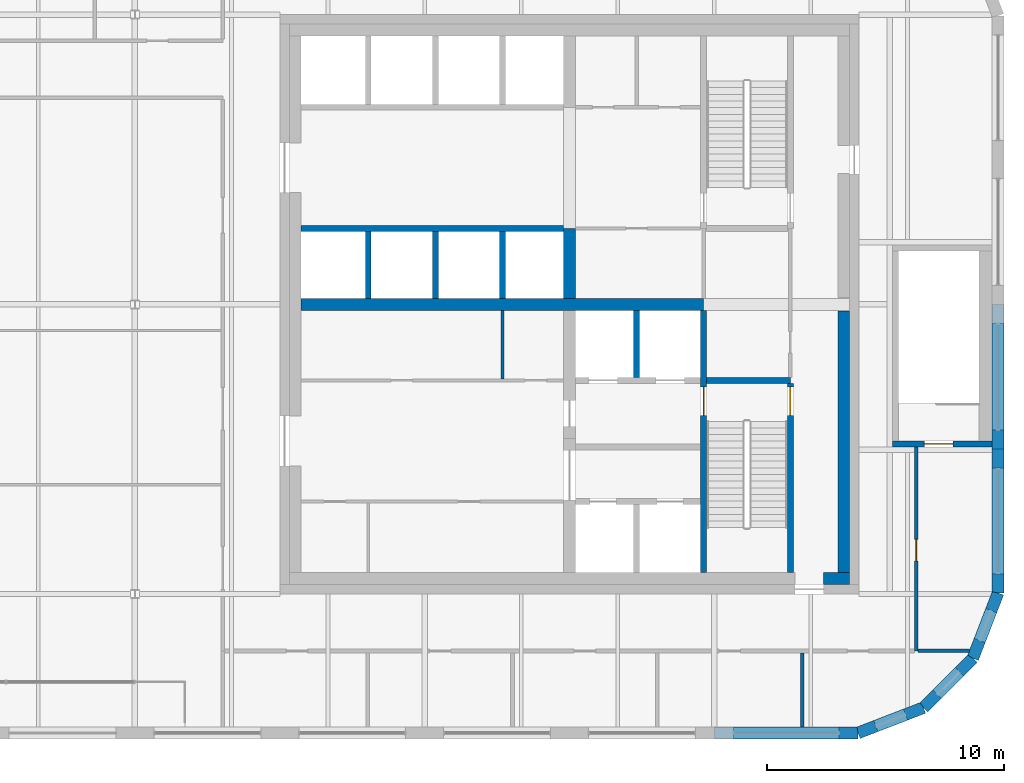
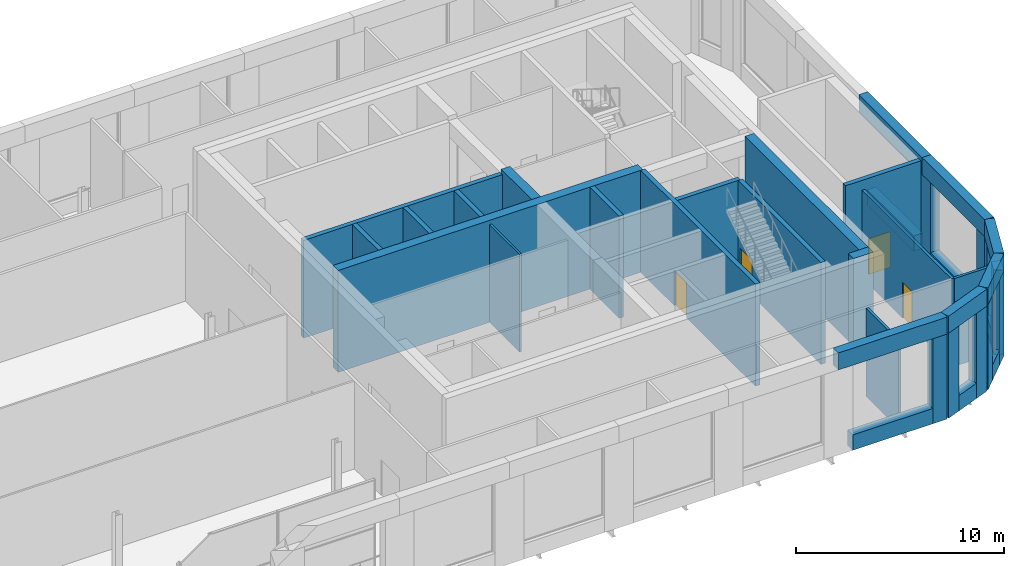
# One storey, part 14 of 19: 38 walls, 4 doors, 4 openings.
"""IFC4 building model written with IfcOpenShell, lengths in metres."""

from ifc_helpers import new_model, si_unit, direction, frame, frame_2d, origin, place, context, subcontext, project, spatial, polyline, rectangle, outline, extrude, faceted_brep, source, transform, mapped, material, layer, layer_set, type_object, element, fill, save


model = new_model("IFC4")

# Units and contexts
model_context = context("Model", 3, precision=1e-05, world=origin(), true_north=direction((0.0, 1.0)))
body_context = subcontext(model_context, "Body", "Model", "MODEL_VIEW")
ifc_project = project(units=[si_unit("LENGTHUNIT", "METRE"), si_unit("AREAUNIT", "SQUARE_METRE"), si_unit("VOLUMEUNIT", "CUBIC_METRE"), si_unit("PLANEANGLEUNIT", "RADIAN"), si_unit("MASSUNIT", "GRAM", prefix="KILO")], contexts=[model_context])

# Site, building, storey
site_placement = place(None, origin())
site = spatial("IfcSite", under=ifc_project, at=site_placement, CompositionType="ELEMENT")
building_placement = place(site_placement, origin())
building = spatial("IfcBuilding", under=site, at=building_placement, Name="Tessera Gate Towers", CompositionType="ELEMENT")
storey_placement = place(building_placement, frame((0.0, 0.0, 259.699951171875)))
storey = spatial("IfcBuildingStorey", under=building, at=storey_placement, Name="L65", CompositionType="ELEMENT", Elevation=259.699951171875)

# Wall
ifc_material_1 = material(Name="Concrete C40/50", Category="concrete")
ifc_layer_1 = layer(ifc_material_1, 0.25)
ifc_layer_set_1 = layer_set([ifc_layer_1], Name="CORE ENCLOSURE WALL 250")
wall_type_1 = type_object("IfcWallType", Name="CORE ENCLOSURE WALL 250", PredefinedType="SOLIDWALL", material=ifc_layer_set_1)
wall_1_placement = place(storey_placement, frame((31.39990234375, 39.800048828125, 0.0), z_axis=(0.0, 0.0, 1.0), x_axis=(1.0, 0.0, 0.0)))
element("IfcWall", 1, at=wall_1_placement, inside=storey, type_object=wall_type_1, Name="L65 shaft and stair enclosure wall", PredefinedType="SOLIDWALL", context=body_context, shape_type="SweptSolid", body=[
    extrude(rectangle(XDim=11.050048828125, YDim=0.25, at=frame_2d((5.52490234375, 0.0))), origin(), (0.0, 0.0, 1.0), 5.75),
])

# Wall, opening, door
wall_2_placement = place(storey_placement, frame((48.35009765625, 36.35009765625, 0.0), z_axis=(0.0, 0.0, 1.0), x_axis=(0.0, -1.0, 0.0)))
wall_2 = element("IfcWall", 2, at=wall_2_placement, inside=storey, type_object=wall_type_1, Name="L65 shaft and stair enclosure wall", PredefinedType="SOLIDWALL", context=body_context, shape_type="SweptSolid", body=[
    extrude(rectangle(XDim=11.050048828125, YDim=0.25, at=frame_2d((5.52490234375, 0.0))), origin(), (0.0, 0.0, 1.0), 6.0),
])
shared_shape_1 = source(origin(), body_context, "Body", "SweptSolid", [
    extrude(rectangle(XDim=1.199951171875, YDim=2.10009765625, at=frame_2d((0.60009765625, 1.050048828125))), frame((0.0, 0.135009765625, 0.0), z_axis=(0.0, -1.0, 0.0), x_axis=(1.0, 0.0, 0.0)), (0.0, 0.0, 1.0), 0.27001953125),
])
opening_1_placement = place(wall_2_placement, frame((3.22509765625, 0.0, 0.0)))
opening_1 = element("IfcOpeningElement", 3, at=opening_1_placement, cuts=wall_2, Name="Opening SD-ST1-1", PredefinedType="OPENING", context=body_context, shape_type="MappedRepresentation", body=[
    mapped(shared_shape_1, transform((0.0, 0.0, 0.0), scale=1.0)),
])
ifc_material_2 = material(Name="Hollow steel fire door", Category="steel")
door_type_1 = type_object("IfcDoorType", Name="CORE DOOR SD 1200x2100", OperationType="NOTDEFINED", PredefinedType="DOOR", material=ifc_material_2)
shared_shape_2 = source(origin(), body_context, "Body", "SweptSolid", [
    extrude(rectangle(XDim=1.199951171875, YDim=2.10009765625, at=frame_2d((0.60009765625, 1.050048828125))), frame((0.0, 0.02490234375, 0.0), z_axis=(0.0, -1.0, 0.0), x_axis=(1.0, 0.0, 0.0)), (0.0, 0.0, 1.0), 0.050048828125),
])
door_1_placement = place(opening_1_placement, origin())
door_1 = element("IfcDoor", 4, at=door_1_placement, inside=storey, type_object=door_type_1, Name="Stair door", OperationType="SINGLE_SWING_LEFT", OverallHeight=2.10009765625, OverallWidth=1.199951171875, PredefinedType="DOOR", context=body_context, shape_type="MappedRepresentation", body=[
    mapped(shared_shape_2, transform((0.0, 0.0, 0.0), scale=1.0)),
])
fill(opening_1, door_1)

# Wall
wall_3_placement = place(storey_placement, frame((48.47509765625, 33.39990234375, 0.0), z_axis=(0.0, 0.0, 1.0), x_axis=(1.0, 0.0, 0.0)))
element("IfcWall", 5, at=wall_3_placement, inside=storey, type_object=wall_type_1, Name="L65 shaft and stair enclosure wall", PredefinedType="SOLIDWALL", context=body_context, shape_type="SweptSolid", body=[
    extrude(rectangle(XDim=3.52490234375, YDim=0.25, at=frame_2d((1.762451171875, 0.0))), origin(), (0.0, 0.0, 1.0), 6.0),
])

# Wall, opening, door
wall_4_placement = place(storey_placement, frame((52.0, 25.300048828125, 0.0), z_axis=(0.0, 0.0, 1.0), x_axis=(0.0, 1.0, 0.0)))
wall_4 = element("IfcWall", 6, at=wall_4_placement, inside=storey, type_object=wall_type_1, Name="L65 shaft and stair enclosure wall", PredefinedType="SOLIDWALL", context=body_context, shape_type="SweptSolid", body=[
    extrude(rectangle(XDim=7.974853515625, YDim=0.25, at=frame_2d((3.9873046875, 0.0))), origin(), (0.0, 0.0, 1.0), 6.0),
])
opening_2_placement = place(wall_4_placement, frame((6.625, 0.0, 0.0)))
opening_2 = element("IfcOpeningElement", 7, at=opening_2_placement, cuts=wall_4, Name="Opening SD-ST1-2", PredefinedType="OPENING", context=body_context, shape_type="MappedRepresentation", body=[
    mapped(shared_shape_1, transform((0.0, 0.0, 0.0), scale=1.0)),
])
door_2_placement = place(opening_2_placement, origin())
door_2 = element("IfcDoor", 8, at=door_2_placement, inside=storey, type_object=door_type_1, Name="Stair door", OperationType="SINGLE_SWING_RIGHT", OverallHeight=2.10009765625, OverallWidth=1.199951171875, PredefinedType="DOOR", context=body_context, shape_type="MappedRepresentation", body=[
    mapped(shared_shape_2, transform((0.0, 0.0, 0.0), scale=1.0)),
])
fill(opening_2, door_2)

# Walls
for number, where, z_axis, x_axis, name in (
    (9, (34.22509765625, 36.85009765625, 0.0), (0.0, 0.0, 1.0), (0.0, 1.0, 0.0), "L65 shaft and stair enclosure wall"),
    (10, (37.050048828125, 36.85009765625, 0.0), (0.0, 0.0, 1.0), (0.0, 1.0, 0.0), "L65 shaft and stair enclosure wall"),
    (11, (39.875, 36.85009765625, 0.0), (0.0, 0.0, 1.0), (0.0, 1.0, 0.0), "L65 shaft and stair enclosure wall"),
):
    element("IfcWall", number, at=place(storey_placement, frame(where, z_axis=z_axis, x_axis=x_axis)), inside=storey, type_object=wall_type_1, Name=name, PredefinedType="SOLIDWALL", context=body_context, shape_type="SweptSolid", body=[
        extrude(rectangle(XDim=2.824951171875, YDim=0.25, at=frame_2d((1.41259765625, 0.0))), origin(), (0.0, 0.0, 1.0), 5.75),
    ])
wall_5_placement = place(storey_placement, frame((45.52490234375, 33.52490234375, 0.0), z_axis=(0.0, 0.0, 1.0), x_axis=(0.0, 1.0, 0.0)))
element("IfcWall", 12, at=wall_5_placement, inside=storey, type_object=wall_type_1, Name="L65 shaft and stair enclosure wall", PredefinedType="SOLIDWALL", context=body_context, shape_type="SweptSolid", body=[
    extrude(rectangle(XDim=2.8251953125, YDim=0.25, at=frame_2d((1.41259765625, 0.0))), origin(), (0.0, 0.0, 1.0), 6.0),
])

# Wall, opening, door
wall_6_placement = place(storey_placement, frame((60.5, 30.72509765625, 0.0), z_axis=(0.0, 0.0, 1.0), x_axis=(-1.0, 0.0, 0.0)))
wall_6 = element("IfcWall", 13, at=wall_6_placement, inside=storey, type_object=wall_type_1, Name="L65 ST5 enclosure wall", PredefinedType="SOLIDWALL", context=body_context, shape_type="SweptSolid", body=[
    extrude(rectangle(XDim=4.199951171875, YDim=0.25, at=frame_2d((2.10009765625, 0.0))), origin(), (0.0, 0.0, 1.0), 5.75),
])
opening_3_placement = place(wall_6_placement, frame((1.64990234375, 0.0, 0.0)))
opening_3 = element("IfcOpeningElement", 14, at=opening_3_placement, cuts=wall_6, Name="Opening SD-ST5-1", PredefinedType="OPENING", context=body_context, shape_type="MappedRepresentation", body=[
    mapped(shared_shape_1, transform((0.0, 0.0, 0.0), scale=1.0)),
])
door_3_placement = place(opening_3_placement, origin())
door_3 = element("IfcDoor", 15, at=door_3_placement, inside=storey, type_object=door_type_1, Name="Stair door", OperationType="SINGLE_SWING_RIGHT", OverallHeight=2.10009765625, OverallWidth=1.199951171875, PredefinedType="DOOR", context=body_context, shape_type="MappedRepresentation", body=[
    mapped(shared_shape_2, transform((0.0, 0.0, 0.0), scale=1.0)),
])
fill(opening_3, door_3)

# Walls
ifc_material_3 = material(Name="Gypsum board on steel studs", Category="steel")
ifc_layer_2 = layer(ifc_material_3, 0.1201171875)
ifc_layer_set_2 = layer_set([ifc_layer_2], Name="CORE PARTITION 120")
wall_type_2 = type_object("IfcWallType", Name="CORE PARTITION 120", PredefinedType="PARTITIONING", material=ifc_layer_set_2)
wall_7_placement = place(storey_placement, frame((39.875, 33.4599609375, 0.0), z_axis=(0.0, 0.0, 1.0), x_axis=(0.0, 1.0, 0.0)))
element("IfcWall", 16, at=wall_7_placement, inside=storey, type_object=wall_type_2, Name="L65 core partition", PredefinedType="PARTITIONING", context=body_context, shape_type="SweptSolid", body=[
    extrude(rectangle(XDim=2.89013671875, YDim=0.1201171875, at=frame_2d((1.445068359375, 0.0))), origin(), (0.0, 0.0, 1.0), 5.75),
])
ifc_material_4 = material(Name="Concrete C40/50", Category="concrete")
ifc_layer_3 = layer(ifc_material_4, 0.5)
ifc_layer_set_3 = layer_set([ifc_layer_3], Name="CORE SPINE WALL 500 C40/50")
wall_type_3 = type_object("IfcWallType", Name="CORE SPINE WALL 500 C40/50", PredefinedType="SHEAR", material=ifc_layer_set_3)
wall_8_placement = place(storey_placement, frame((31.39990234375, 36.60009765625, 0.0), z_axis=(0.0, 0.0, 1.0), x_axis=(1.0, 0.0, 0.0)))
element("IfcWall", 17, at=wall_8_placement, inside=storey, type_object=wall_type_3, Name="Core wall spine L65", PredefinedType="SHEAR", context=body_context, shape_type="SweptSolid", body=[
    extrude(rectangle(XDim=16.9501953125, YDim=0.5, at=frame_2d((8.47509765625, 0.0))), origin(), (0.0, 0.0, 1.0), 6.0),
])
wall_9_placement = place(storey_placement, frame((42.699951171875, 36.85009765625, 0.0), z_axis=(0.0, 0.0, 1.0), x_axis=(0.0, 1.0, 0.0)))
element("IfcWall", 18, at=wall_9_placement, inside=storey, type_object=wall_type_3, Name="Core wall spine L65", PredefinedType="SHEAR", context=body_context, shape_type="SweptSolid", body=[
    extrude(rectangle(XDim=2.949951171875, YDim=0.5, at=frame_2d((1.47509765625, 0.0))), origin(), (0.0, 0.0, 1.0), 6.0),
])
ifc_material_5 = material(Name="Concrete C40/50", Category="concrete")
ifc_layer_4 = layer(ifc_material_5, 0.5)
ifc_layer_set_4 = layer_set([ifc_layer_4], Name="CORE WALL THICKENING 500")
wall_type_4 = type_object("IfcWallType", Name="CORE WALL THICKENING 500", PredefinedType="SOLIDWALL", material=ifc_layer_set_4)
wall_10_placement = place(storey_placement, frame((53.39990234375, 25.050048828125, 0.0), z_axis=(0.0, 0.0, 1.0), x_axis=(1.0, 0.0, 0.0)))
element("IfcWall", 19, at=wall_10_placement, inside=storey, type_object=wall_type_4, Name="Core wall thickening S L65", PredefinedType="SOLIDWALL", context=body_context, shape_type="SweptSolid", body=[
    extrude(rectangle(XDim=1.10009765625, YDim=0.5, at=frame_2d((0.550048828125, 0.0))), origin(), (0.0, 0.0, 1.0), 6.0),
])
wall_11_placement = place(storey_placement, frame((54.25, 25.300048828125, 0.0), z_axis=(0.0, 0.0, 1.0), x_axis=(0.0, 1.0, 0.0)))
element("IfcWall", 20, at=wall_11_placement, inside=storey, type_object=wall_type_4, Name="Core wall thickening E L65", PredefinedType="SOLIDWALL", context=body_context, shape_type="SweptSolid", body=[
    extrude(rectangle(XDim=11.02001953125, YDim=0.5, at=frame_2d((5.510009765625, 0.0))), origin(), (0.0, 0.0, 1.0), 6.0),
])

# Wall, opening, door
ifc_material_6 = material(Name="Gypsum board on steel studs, mineral wool", Category="steel")
ifc_layer_5 = layer(ifc_material_6, 0.14990234375)
ifc_layer_set_5 = layer_set([ifc_layer_5], Name="CORRIDOR WALL 150")
wall_type_5 = type_object("IfcWallType", Name="CORRIDOR WALL 150", PredefinedType="PARTITIONING", material=ifc_layer_set_5)
wall_12_placement = place(storey_placement, frame((57.300048828125, 30.60009765625, 0.0), z_axis=(0.0, 0.0, 1.0), x_axis=(0.0, -1.0, 0.0)))
wall_12 = element("IfcWall", 21, at=wall_12_placement, inside=storey, type_object=wall_type_5, Name="T1-L65-PW-008", PredefinedType="PARTITIONING", context=body_context, shape_type="SweptSolid", body=[
    extrude(rectangle(XDim=8.60009765625, YDim=0.14990234375, at=frame_2d((4.300048828125, 0.0))), origin(), (0.0, 0.0, 1.0), 5.1669921875),
])
shared_shape_3 = source(origin(), body_context, "Body", "SweptSolid", [
    extrude(rectangle(XDim=0.89990234375, YDim=2.10009765625, at=frame_2d((0.449951171875, 1.050048828125))), frame((0.0, 0.0849609375, 0.0), z_axis=(0.0, -1.0, 0.0), x_axis=(1.0, 0.0, 0.0)), (0.0, 0.0, 1.0), 0.169921875),
])
opening_4_placement = place(wall_12_placement, frame((3.89990234375, 0.0, 0.0)))
opening_4 = element("IfcOpeningElement", 22, at=opening_4_placement, cuts=wall_12, Name="Opening D890FD60-A34-10", PredefinedType="OPENING", context=body_context, shape_type="MappedRepresentation", body=[
    mapped(shared_shape_3, transform((0.0, 0.0, 0.0), scale=1.0)),
])
ifc_material_7 = material(Name="Timber door leaf in steel frame", Category="steel")
door_type_2 = type_object("IfcDoorType", Name="CORRIDOR DOOR 900 FD60", OperationType="NOTDEFINED", PredefinedType="DOOR", material=ifc_material_7)
shared_shape_4 = source(origin(), body_context, "Body", "SweptSolid", [
    extrude(rectangle(XDim=0.89990234375, YDim=2.10009765625, at=frame_2d((0.449951171875, 1.050048828125))), frame((0.0, 0.02490234375, 0.0), z_axis=(0.0, -1.0, 0.0), x_axis=(1.0, 0.0, 0.0)), (0.0, 0.0, 1.0), 0.050048828125),
])
door_4_placement = place(opening_4_placement, origin())
door_4 = element("IfcDoor", 23, at=door_4_placement, inside=storey, type_object=door_type_2, Name="T1-L65-PD-012", OperationType="SINGLE_SWING_RIGHT", OverallHeight=2.10009765625, OverallWidth=0.89990234375, PredefinedType="DOOR", context=body_context, shape_type="MappedRepresentation", body=[
    mapped(shared_shape_4, transform((0.0, 0.0, 0.0), scale=1.0)),
])
fill(opening_4, door_4)

# Walls
ifc_material_8 = material(Name="Gypsum board on steel studs, mineral wool", Category="steel")
ifc_layer_6 = layer(ifc_material_8, 0.14990234375)
ifc_layer_set_6 = layer_set([ifc_layer_6], Name="TENANCY WALL 150")
wall_type_6 = type_object("IfcWallType", Name="TENANCY WALL 150", PredefinedType="PARTITIONING", material=ifc_layer_set_6)
wall_13_placement = place(storey_placement, frame((52.5, 18.800048828125, 0.0), z_axis=(0.0, 0.0, 1.0), x_axis=(0.0, 1.0, 0.0)))
element("IfcWall", 24, at=wall_13_placement, inside=storey, type_object=wall_type_6, Name="T1-L65-PW-005", PredefinedType="PARTITIONING", context=body_context, shape_type="SweptSolid", body=[
    extrude(rectangle(XDim=3.1240234375, YDim=0.14990234375, at=frame_2d((1.56201171875, 0.0))), origin(), (0.0, 0.0, 1.0), 5.1669921875),
])
wall_14_placement = place(storey_placement, frame((57.3759765625, 22.02001953125, 0.0), z_axis=(0.0, 0.0, 1.0), x_axis=(1.0, 0.0, 0.0)))
element("IfcWall", 25, at=wall_14_placement, inside=storey, type_object=wall_type_6, Name="T1-L65-PW-009", PredefinedType="PARTITIONING", context=body_context, shape_type="SweptSolid", body=[
    extrude(rectangle(XDim=2.162353515625, YDim=0.14990234375, at=frame_2d((1.0810546875, 0.0))), origin(), (0.0, 0.0, 1.0), 5.1669921875),
])
ifc_material_9 = material(Name="Precast concrete C60/75 white", Category="concrete")
ifc_layer_7 = layer(ifc_material_9, 0.5)
ifc_layer_set_7 = layer_set([ifc_layer_7], Name="RB1 ring band panel")
wall_type_7 = type_object("IfcWallType", Name="RB1 ring band panel", PredefinedType="SOLIDWALL", material=ifc_layer_set_7)
shared_shape_5 = source(origin(), body_context, "Body", "SweptSolid", [
    extrude(outline(polyline([(0.0, 0.0), (4.453369140625, 0.0), (4.453369140625, 0.900146484375), (0.0, 0.900146484375), (0.0, 0.0)])), frame((0.0, 0.25, 0.0), z_axis=(0.0, -1.0, 0.0), x_axis=(1.0, 0.0, 0.0)), (0.0, 0.0, 1.0), 0.5),
])
for number, where, z_axis, x_axis, name in (
    (26, (49.60009765625, 18.550048828125, 0.0), (0.0, 0.0, 1.0), (1.0, 0.0, 0.0), "Ring band panel T1 RB1-0431"),
    (27, (60.75, 25.24658203125, 0.0), (0.0, 0.0, 1.0), (0.0, 1.0, 0.0), "Ring band panel T1 RB1-0450"),
):
    element("IfcWall", number, at=place(storey_placement, frame(where, z_axis=z_axis, x_axis=x_axis)), inside=storey, type_object=wall_type_7, Name=name, PredefinedType="SOLIDWALL", context=body_context, shape_type="MappedRepresentation", body=[
        mapped(shared_shape_5, transform((0.0, 0.0, 0.0), scale=1.0)),
    ])
shared_shape_6 = source(origin(), body_context, "Body", "SweptSolid", [
    extrude(outline(polyline([(0.0, 0.0), (4.5, 0.0), (4.5, 0.900146484375), (0.0, 0.900146484375), (0.0, 0.0)])), frame((0.0, 0.25, 0.0), z_axis=(0.0, -1.0, 0.0), x_axis=(1.0, 0.0, 0.0)), (0.0, 0.0, 1.0), 0.5),
])
wall_15_placement = place(storey_placement, frame((60.75, 31.300048828125, 0.0), z_axis=(0.0, 0.0, 1.0), x_axis=(0.0, 1.0, 0.0)))
element("IfcWall", 28, at=wall_15_placement, inside=storey, type_object=wall_type_7, Name="Ring band panel T1 RB1-0452", PredefinedType="SOLIDWALL", context=body_context, shape_type="MappedRepresentation", body=[
    mapped(shared_shape_6, transform((0.0, 0.0, 0.0), scale=1.0)),
])
shared_shape_7 = source(origin(), body_context, "Body", "SweptSolid", [
    extrude(outline(polyline([(0.0, 0.0), (1.3505859375, 0.0), (1.3505859375, 0.900146484375), (0.0, 0.900146484375), (0.0, 0.0)])), frame((0.0, 0.25, 0.0), z_axis=(0.0, -1.0, 0.0), x_axis=(1.0, 0.0, 0.0)), (0.0, 0.0, 1.0), 0.5),
])
for number, where, z_axis, x_axis, name in (
    (29, (55.599853515625, 18.837890625, 0.0), (0.0, 0.0, 1.0), (0.932981713512, 0.359923772835, 0.0), "Ring band panel T1 RB1-0435"),
    (30, (59.97607421875, 22.440185546875, 0.0), (0.0, 0.0, 1.0), (0.359923772835, 0.932981713512, 0.0), "Ring band panel T1 RB1-0443"),
):
    element("IfcWall", number, at=place(storey_placement, frame(where, z_axis=z_axis, x_axis=x_axis)), inside=storey, type_object=wall_type_7, Name=name, PredefinedType="SOLIDWALL", context=body_context, shape_type="MappedRepresentation", body=[
        mapped(shared_shape_7, transform((0.0, 0.0, 0.0), scale=1.0)),
    ])
shared_shape_8 = source(origin(), body_context, "Body", "SweptSolid", [
    extrude(outline(polyline([(0.0, 0.0), (1.34423828125, 0.0), (1.34423828125, 0.900146484375), (0.0, 0.900146484375), (0.0, 0.0)])), frame((0.0, 0.25, 0.0), z_axis=(0.0, -1.0, 0.0), x_axis=(1.0, 0.0, 0.0)), (0.0, 0.0, 1.0), 0.5),
])
wall_16_placement = place(storey_placement, frame((58.171875, 20.177490234375, 0.0), z_axis=(0.0, 0.0, 1.0), x_axis=(0.707106781187, 0.707106781187, 0.0)))
element("IfcWall", 31, at=wall_16_placement, inside=storey, type_object=wall_type_7, Name="Ring band panel T1 RB1-0439", PredefinedType="SOLIDWALL", context=body_context, shape_type="MappedRepresentation", body=[
    mapped(shared_shape_8, transform((0.0, 0.0, 0.0), scale=1.0)),
])
shared_shape_9 = source(origin(), body_context, "Body", "Brep", [
    faceted_brep([(0.0, -0.25, 0.0), (0.800048828125, -0.25, 0.0), (0.800048828125, -0.25, 5.0), (0.0, -0.25, 5.0), (0.046630859375, 0.25, 5.0), (0.800048828125, 0.25, 5.0), (0.800048828125, 0.25, 0.0), (0.046630859375, 0.25, 0.0), (0.0, 0.0, 0.0), (0.0, 0.0, 5.0)], [[[0, 1, 2, 3]], [[4, 5, 6, 7]], [[7, 6, 1, 0, 8]], [[5, 4, 9, 3, 2]], [[8, 0, 3, 9]], [[7, 8, 9, 4]], [[1, 6, 5, 2]]]),
])
wall_17_placement = place(storey_placement, frame((60.75, 24.446533203125, 0.0), z_axis=(0.0, 0.0, 1.0), x_axis=(0.0, 1.0, 0.0)))
element("IfcWall", 32, at=wall_17_placement, inside=storey, type_object=wall_type_7, Name="Ring band panel T1 RB1-0445", PredefinedType="SOLIDWALL", context=body_context, shape_type="MappedRepresentation", body=[
    mapped(shared_shape_9, transform((0.0, 0.0, 0.0), scale=1.0)),
])
shared_shape_10 = source(origin(), body_context, "Body", "SweptSolid", [
    extrude(outline(polyline([(0.0, 0.0), (1.60009765625, 0.0), (1.60009765625, 5.0), (0.0, 5.0), (0.0, 0.0)])), frame((0.0, 0.25, 0.0), z_axis=(0.0, -1.0, 0.0), x_axis=(1.0, 0.0, 0.0)), (0.0, 0.0, 1.0), 0.5),
])
wall_18_placement = place(storey_placement, frame((60.75, 29.699951171875, 0.0), z_axis=(0.0, 0.0, 1.0), x_axis=(0.0, 1.0, 0.0)))
element("IfcWall", 33, at=wall_18_placement, inside=storey, type_object=wall_type_7, Name="Ring band panel T1 RB1-0446", PredefinedType="SOLIDWALL", context=body_context, shape_type="MappedRepresentation", body=[
    mapped(shared_shape_10, transform((0.0, 0.0, 0.0), scale=1.0)),
])
shared_shape_11 = source(origin(), body_context, "Body", "Brep", [
    faceted_brep([(0.0, -0.25, 0.0), (0.800048828125, -0.25, 0.0), (0.800048828125, -0.25, 5.0), (0.0, -0.25, 5.0), (0.0, 0.25, 5.0), (0.75341796875, 0.25, 5.0), (0.75341796875, 0.25, 0.0), (0.0, 0.25, 0.0), (0.800048828125, -0.000244140625, 0.0), (0.800048828125, -0.000244140625, 5.0)], [[[0, 1, 2, 3]], [[4, 5, 6, 7]], [[7, 6, 8, 1, 0]], [[9, 2, 1, 8]], [[5, 4, 3, 2, 9]], [[4, 7, 0, 3]], [[8, 6, 5, 9]]]),
])
wall_19_placement = place(storey_placement, frame((54.053466796875, 18.550048828125, 0.0), z_axis=(0.0, 0.0, 1.0), x_axis=(1.0, 0.0, 0.0)))
element("IfcWall", 34, at=wall_19_placement, inside=storey, type_object=wall_type_7, Name="Ring band panel T1 RB1-0419", PredefinedType="SOLIDWALL", context=body_context, shape_type="MappedRepresentation", body=[
    mapped(shared_shape_11, transform((0.0, 0.0, 0.0), scale=1.0)),
])
shared_shape_12 = source(origin(), body_context, "Body", "Brep", [
    faceted_brep([(0.0, -0.25, 0.0), (6.053466796875, -0.25, 0.0), (6.053466796875, -0.25, 1.0), (0.0, -0.25, 1.0), (0.046630859375, 0.25, 1.0), (6.053466796875, 0.25, 1.0), (6.053466796875, 0.25, 0.0), (0.046630859375, 0.25, 0.0), (0.0, 0.0, 0.0), (0.0, 0.0, 1.0)], [[[0, 1, 2, 3]], [[4, 5, 6, 7]], [[7, 6, 1, 0, 8]], [[5, 4, 9, 3, 2]], [[8, 0, 3, 9]], [[7, 8, 9, 4]], [[1, 6, 5, 2]]]),
])
wall_20_placement = place(storey_placement, frame((60.75, 24.446533203125, 5.0), z_axis=(0.0, 0.0, 1.0), x_axis=(0.0, 1.0, 0.0)))
element("IfcWall", 35, at=wall_20_placement, inside=storey, type_object=wall_type_7, Name="Ring band panel T1 RB1-0451", PredefinedType="SOLIDWALL", context=body_context, shape_type="MappedRepresentation", body=[
    mapped(shared_shape_12, transform((0.0, 0.0, 0.0), scale=1.0)),
])
shared_shape_13 = source(origin(), body_context, "Body", "SweptSolid", [
    extrude(outline(polyline([(0.0, 0.0), (6.10009765625, 0.0), (6.10009765625, 1.0), (0.0, 1.0), (0.0, 0.0)])), frame((0.0, 0.25, 0.0), z_axis=(0.0, -1.0, 0.0), x_axis=(1.0, 0.0, 0.0)), (0.0, 0.0, 1.0), 0.5),
])
wall_21_placement = place(storey_placement, frame((60.75, 30.5, 5.0), z_axis=(0.0, 0.0, 1.0), x_axis=(0.0, 1.0, 0.0)))
element("IfcWall", 36, at=wall_21_placement, inside=storey, type_object=wall_type_7, Name="Ring band panel T1 RB1-0453", PredefinedType="SOLIDWALL", context=body_context, shape_type="MappedRepresentation", body=[
    mapped(shared_shape_13, transform((0.0, 0.0, 0.0), scale=1.0)),
])
shared_shape_14 = source(origin(), body_context, "Body", "Brep", [
    faceted_brep([(0.0, -0.25, 0.0), (6.053466796875, -0.25, 0.0), (6.053466796875, -0.25, 1.0), (0.0, -0.25, 1.0), (0.0, 0.25, 1.0), (6.0068359375, 0.25, 1.0), (6.0068359375, 0.25, 0.0), (0.0, 0.25, 0.0), (6.053466796875, 0.0, 0.0), (6.053466796875, 0.0, 1.0)], [[[0, 1, 2, 3]], [[4, 5, 6, 7]], [[7, 6, 8, 1, 0]], [[9, 2, 1, 8]], [[5, 4, 3, 2, 9]], [[4, 7, 0, 3]], [[8, 6, 5, 9]]]),
])
wall_22_placement = place(storey_placement, frame((48.800048828125, 18.550048828125, 5.0), z_axis=(0.0, 0.0, 1.0), x_axis=(1.0, 0.0, 0.0)))
element("IfcWall", 37, at=wall_22_placement, inside=storey, type_object=wall_type_7, Name="Ring band panel T1 RB1-0432", PredefinedType="SOLIDWALL", context=body_context, shape_type="MappedRepresentation", body=[
    mapped(shared_shape_14, transform((0.0, 0.0, 0.0), scale=1.0)),
])
shared_shape_15 = source(origin(), body_context, "Body", "Brep", [
    faceted_brep([(0.0, -0.25, 0.0), (0.800048828125, -0.25, 0.0), (0.800048828125, -0.25, 5.0), (0.0, -0.25, 5.0), (0.046630859375, 0.25, 5.0), (0.800048828125, 0.25, 5.0), (0.800048828125, 0.25, 0.0), (0.046630859375, 0.25, 0.0), (0.0, 0.0, 0.0), (0.0, 0.0, 5.0)], [[[0, 1, 2, 3]], [[4, 5, 6, 7]], [[7, 6, 1, 0, 8]], [[5, 4, 9, 3, 2]], [[8, 0, 3, 9]], [[7, 8, 9, 4]], [[1, 6, 5, 2]]]),
])
wall_23_placement = place(storey_placement, frame((54.853515625, 18.550048828125, 0.0), z_axis=(0.0, 0.0, 1.0), x_axis=(0.93301483327, 0.3598379092, 0.0)))
element("IfcWall", 38, at=wall_23_placement, inside=storey, type_object=wall_type_7, Name="Ring band panel T1 RB1-0433", PredefinedType="SOLIDWALL", context=body_context, shape_type="MappedRepresentation", body=[
    mapped(shared_shape_15, transform((0.0, 0.0, 0.0), scale=1.0)),
])
shared_shape_16 = source(origin(), body_context, "Body", "Brep", [
    faceted_brep([(0.0, -0.25, 0.0), (0.800048828125, -0.25, 0.0), (0.800048828125, -0.25, 5.0), (0.0, -0.25, 5.0), (0.0, 0.25, 5.0), (0.7470703125, 0.25, 5.0), (0.7470703125, 0.25, 0.0), (0.0, 0.25, 0.0), (0.800048828125, -0.000244140625, 0.0), (0.800048828125, -0.000244140625, 5.0)], [[[0, 1, 2, 3]], [[4, 5, 6, 7]], [[7, 6, 8, 1, 0]], [[9, 2, 1, 8]], [[5, 4, 3, 2, 9]], [[4, 7, 0, 3]], [[8, 6, 5, 9]]]),
])
wall_24_placement = place(storey_placement, frame((56.85986328125, 19.323974609375, 0.0), z_axis=(0.0, 0.0, 1.0), x_axis=(0.93301483327, 0.3598379092, 0.0)))
element("IfcWall", 39, at=wall_24_placement, inside=storey, type_object=wall_type_7, Name="Ring band panel T1 RB1-0434", PredefinedType="SOLIDWALL", context=body_context, shape_type="MappedRepresentation", body=[
    mapped(shared_shape_16, transform((0.0, 0.0, 0.0), scale=1.0)),
])
shared_shape_17 = source(origin(), body_context, "Body", "Brep", [
    faceted_brep([(0.0, -0.25, 0.0), (2.950439453125, -0.25, 0.0), (2.950439453125, -0.25, 1.0), (0.0, -0.25, 1.0), (0.046630859375, 0.25, 1.0), (2.897705078125, 0.25, 1.0), (2.897705078125, 0.25, 0.0), (0.046630859375, 0.25, 0.0), (2.950439453125, 0.00048828125, 0.0), (0.0, 0.0, 0.0), (2.950439453125, 0.00048828125, 1.0), (0.0, 0.0, 1.0)], [[[0, 1, 2, 3]], [[4, 5, 6, 7]], [[7, 6, 8, 1, 0, 9]], [[10, 2, 1, 8]], [[5, 4, 11, 3, 2, 10]], [[9, 0, 3, 11]], [[7, 9, 11, 4]], [[8, 6, 5, 10]]]),
])
wall_25_placement = place(storey_placement, frame((54.853515625, 18.550048828125, 5.0), z_axis=(0.0, 0.0, 1.0), x_axis=(0.932999673775, 0.359877213415, 0.0)))
element("IfcWall", 40, at=wall_25_placement, inside=storey, type_object=wall_type_7, Name="Ring band panel T1 RB1-0436", PredefinedType="SOLIDWALL", context=body_context, shape_type="MappedRepresentation", body=[
    mapped(shared_shape_17, transform((0.0, 0.0, 0.0), scale=1.0)),
])
shared_shape_18 = source(origin(), body_context, "Body", "Brep", [
    faceted_brep([(0.0, -0.25, 0.0), (0.800048828125, -0.25, 0.0), (0.800048828125, -0.25, 5.0), (0.0, -0.25, 5.0), (0.052978515625, 0.25, 5.0), (0.800048828125, 0.25, 5.0), (0.800048828125, 0.25, 0.0), (0.052978515625, 0.25, 0.0), (0.0, 0.0, 0.0), (0.0, 0.0, 5.0)], [[[0, 1, 2, 3]], [[4, 5, 6, 7]], [[7, 6, 1, 0, 8]], [[5, 4, 9, 3, 2]], [[8, 0, 3, 9]], [[7, 8, 9, 4]], [[1, 6, 5, 2]]]),
])
for number, where, z_axis, x_axis, name in (
    (41, (57.606201171875, 19.61181640625, 0.0), (0.0, 0.0, 1.0), (0.706954206636, 0.707259322823, 0.0), "Ring band panel T1 RB1-0437"),
    (42, (59.68798828125, 21.69384765625, 0.0), (0.0, 0.0, 1.0), (0.360103552367, 0.932912338632, 0.0), "Ring band panel T1 RB1-0441"),
):
    element("IfcWall", number, at=place(storey_placement, frame(where, z_axis=z_axis, x_axis=x_axis)), inside=storey, type_object=wall_type_7, Name=name, PredefinedType="SOLIDWALL", context=body_context, shape_type="MappedRepresentation", body=[
        mapped(shared_shape_18, transform((0.0, 0.0, 0.0), scale=1.0)),
    ])
shared_shape_19 = source(origin(), body_context, "Body", "Brep", [
    faceted_brep([(0.0, -0.25, 0.0), (0.800048828125, -0.25, 0.0), (0.800048828125, -0.25, 5.0), (0.0, -0.25, 5.0), (0.0, 0.25, 5.0), (0.7470703125, 0.25, 5.0), (0.7470703125, 0.25, 0.0), (0.0, 0.25, 0.0), (0.800048828125, -0.000244140625, 0.0), (0.800048828125, -0.000244140625, 5.0)], [[[0, 1, 2, 3]], [[4, 5, 6, 7]], [[7, 6, 8, 1, 0]], [[9, 2, 1, 8]], [[5, 4, 3, 2, 9]], [[4, 7, 0, 3]], [[8, 6, 5, 9]]]),
])
wall_26_placement = place(storey_placement, frame((59.122314453125, 21.1279296875, 0.0), z_axis=(0.0, 0.0, 1.0), x_axis=(0.707106781187, 0.707106781187, 0.0)))
element("IfcWall", 43, at=wall_26_placement, inside=storey, type_object=wall_type_7, Name="Ring band panel T1 RB1-0438", PredefinedType="SOLIDWALL", context=body_context, shape_type="MappedRepresentation", body=[
    mapped(shared_shape_19, transform((0.0, 0.0, 0.0), scale=1.0)),
])
shared_shape_20 = source(origin(), body_context, "Body", "Brep", [
    faceted_brep([(0.0, -0.25, 0.0), (2.944091796875, -0.25, 0.0), (2.944091796875, -0.25, 1.0), (0.0, -0.25, 1.0), (0.052978515625, 0.25, 1.0), (2.89111328125, 0.25, 1.0), (2.89111328125, 0.25, 0.0), (0.052978515625, 0.25, 0.0), (2.944091796875, 0.000244140625, 0.0), (0.0, 0.0, 0.0), (2.944091796875, 0.000244140625, 1.0), (0.0, 0.0, 1.0)], [[[0, 1, 2, 3]], [[4, 5, 6, 7]], [[7, 6, 8, 1, 0, 9]], [[10, 2, 1, 8]], [[5, 4, 11, 3, 2, 10]], [[9, 0, 3, 11]], [[7, 9, 11, 4]], [[8, 6, 5, 10]]]),
])
wall_27_placement = place(storey_placement, frame((57.606201171875, 19.61181640625, 5.0), z_axis=(0.0, 0.0, 1.0), x_axis=(0.707106781187, 0.707106781187, 0.0)))
element("IfcWall", 44, at=wall_27_placement, inside=storey, type_object=wall_type_7, Name="Ring band panel T1 RB1-0440", PredefinedType="SOLIDWALL", context=body_context, shape_type="MappedRepresentation", body=[
    mapped(shared_shape_20, transform((0.0, 0.0, 0.0), scale=1.0)),
])
shared_shape_21 = source(origin(), body_context, "Body", "Brep", [
    faceted_brep([(0.0, -0.25, 0.0), (0.800048828125, -0.25, 0.0), (0.800048828125, -0.25, 5.0), (0.0, -0.25, 5.0), (0.0, 0.25, 5.0), (0.75341796875, 0.25, 5.0), (0.75341796875, 0.25, 0.0), (0.0, 0.25, 0.0), (0.800048828125, -0.000244140625, 0.0), (0.800048828125, -0.000244140625, 5.0)], [[[0, 1, 2, 3]], [[4, 5, 6, 7]], [[7, 6, 8, 1, 0]], [[9, 2, 1, 8]], [[5, 4, 3, 2, 9]], [[4, 7, 0, 3]], [[8, 6, 5, 9]]]),
])
wall_28_placement = place(storey_placement, frame((60.462158203125, 23.7001953125, 0.0), z_axis=(0.0, 0.0, 1.0), x_axis=(0.3598379092, 0.93301483327, 0.0)))
element("IfcWall", 45, at=wall_28_placement, inside=storey, type_object=wall_type_7, Name="Ring band panel T1 RB1-0442", PredefinedType="SOLIDWALL", context=body_context, shape_type="MappedRepresentation", body=[
    mapped(shared_shape_21, transform((0.0, 0.0, 0.0), scale=1.0)),
])
shared_shape_22 = source(origin(), body_context, "Body", "Brep", [
    faceted_brep([(0.0, -0.25, 0.0), (2.950439453125, -0.25, 0.0), (2.950439453125, -0.25, 1.0), (0.0, -0.25, 1.0), (0.052978515625, 0.25, 1.0), (2.904052734375, 0.25, 1.0), (2.904052734375, 0.25, 0.0), (0.052978515625, 0.25, 0.0), (2.950439453125, 0.00048828125, 0.0), (0.0, 0.0, 0.0), (2.950439453125, 0.00048828125, 1.0), (0.0, 0.0, 1.0)], [[[0, 1, 2, 3]], [[4, 5, 6, 7]], [[7, 6, 8, 1, 0, 9]], [[10, 2, 1, 8]], [[5, 4, 11, 3, 2, 10]], [[9, 0, 3, 11]], [[7, 9, 11, 4]], [[8, 6, 5, 10]]]),
])
wall_29_placement = place(storey_placement, frame((59.68798828125, 21.69384765625, 5.0), z_axis=(0.0, 0.0, 1.0), x_axis=(0.359949242603, 0.932971887438, 0.0)))
element("IfcWall", 46, at=wall_29_placement, inside=storey, type_object=wall_type_7, Name="Ring band panel T1 RB1-0444", PredefinedType="SOLIDWALL", context=body_context, shape_type="MappedRepresentation", body=[
    mapped(shared_shape_22, transform((0.0, 0.0, 0.0), scale=1.0)),
])

save(model, "model.ifc")
